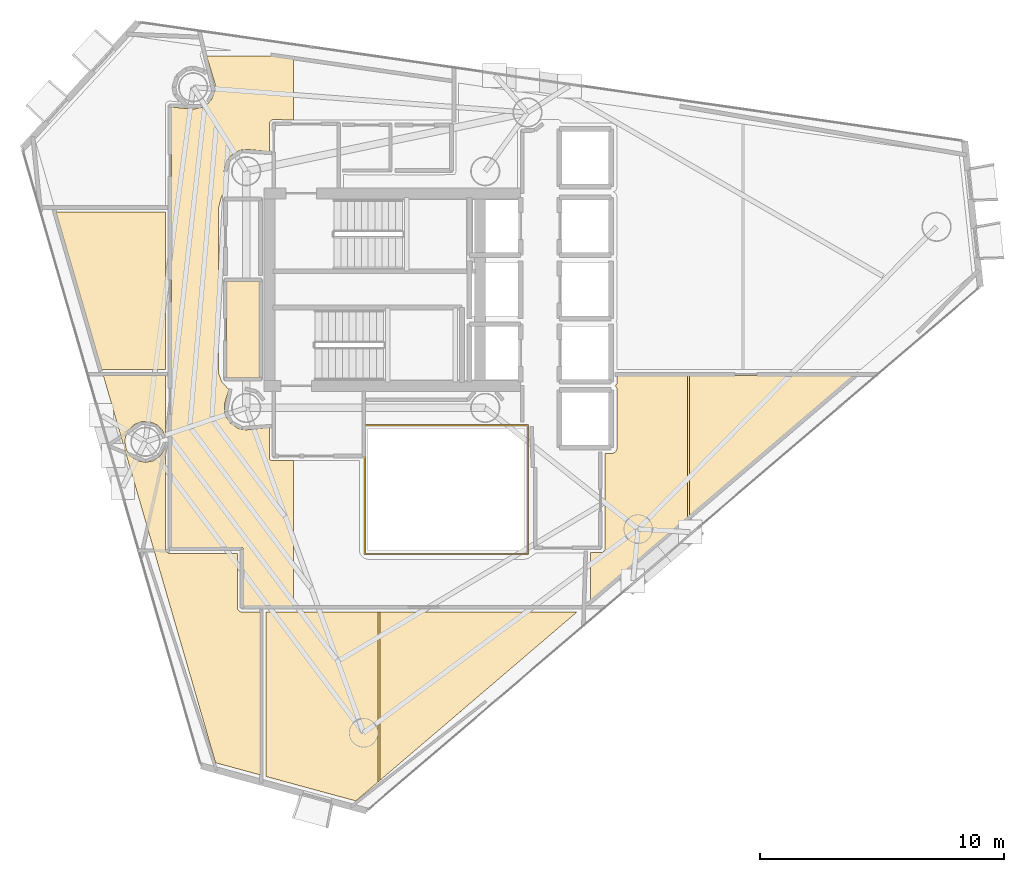
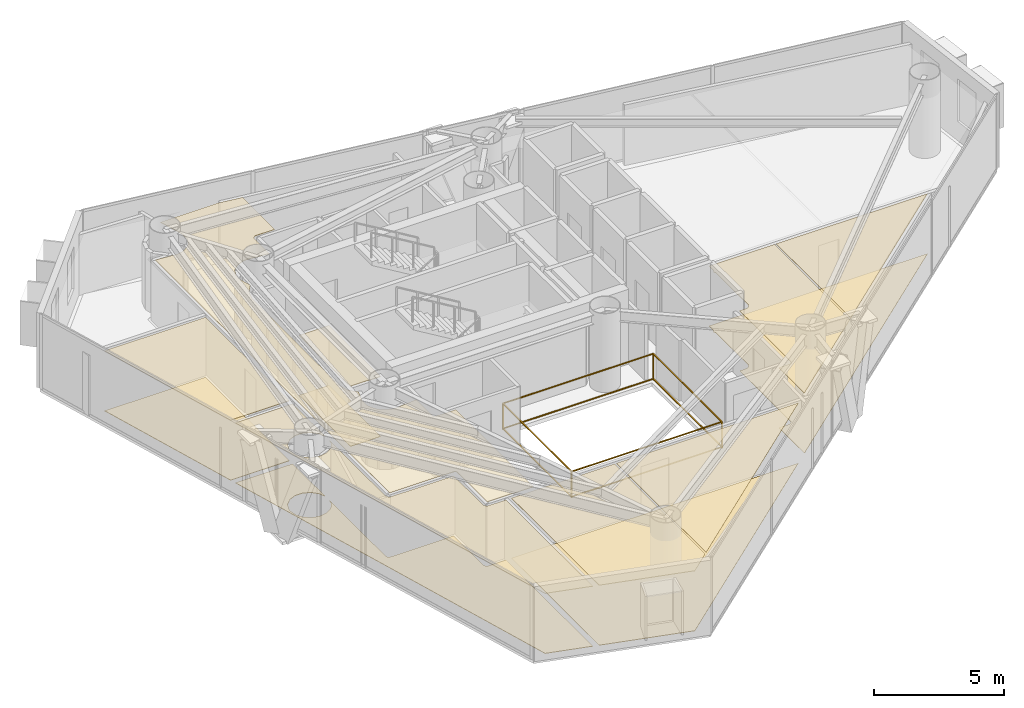
# One storey, part 21 of 23: 13 coverings, 1 railing.
"""IFC4 building model written with IfcOpenShell, lengths in metres."""

from ifc_helpers import new_model, si_unit, direction, frame, origin, origin_2d, place, context, subcontext, project, spatial, polyline, rectangle, outline, extrude, material, layer, layer_set, type_object, element, save


model = new_model("IFC4")

# Units and contexts
model_context = context("Model", 3, precision=1e-05, world=origin(), true_north=direction((0.0, 1.0)))
body_context = subcontext(model_context, "Body", "Model", "MODEL_VIEW")
ifc_project = project(units=[si_unit("LENGTHUNIT", "METRE"), si_unit("AREAUNIT", "SQUARE_METRE"), si_unit("VOLUMEUNIT", "CUBIC_METRE"), si_unit("PLANEANGLEUNIT", "RADIAN"), si_unit("MASSUNIT", "GRAM", prefix="KILO")], contexts=[model_context])

# Site, building, storey
site_placement = place(None, origin())
site = spatial("IfcSite", under=ifc_project, at=site_placement, CompositionType="ELEMENT")
building_placement = place(site_placement, origin())
building = spatial("IfcBuilding", under=site, at=building_placement, Name="Qianvela Tower", CompositionType="ELEMENT")
storey_placement = place(building_placement, frame((0.0, 0.0, 215.10009765625)))
storey = spatial("IfcBuildingStorey", under=building, at=storey_placement, Name="L55", CompositionType="ELEMENT", Elevation=215.10009765625)

# Coverings
ifc_material_1 = material(Name="Perforated Mineral Acoustic Ceiling Tile")
ifc_layer_1 = layer(ifc_material_1, 0.02490234375)
ifc_layer_set_1 = layer_set([ifc_layer_1], Name="Perforated Mineral Acoustic Ceiling Tile")
covering_type_1 = type_object("IfcCoveringType", Name="COV-CEIL-ACOUSTIC-25", PredefinedType="CEILING", material=ifc_layer_set_1)
covering_1_placement = place(storey_placement, frame((0.0, 0.0, 2.81494140625)))
element("IfcCovering", 1, at=covering_1_placement, inside=storey, type_object=covering_type_1, Name="L55 Acoustic Ceiling L55 Core Tea Pantry West", PredefinedType="CEILING", context=body_context, shape_type="SweptSolid", body=[
    extrude(outline(polyline([(27.800048828125, 25.080078125), (27.800048828125, 29.0400390625), (29.139892578125, 29.0400390625), (29.139892578125, 25.080078125), (27.800048828125, 25.080078125)])), origin(), (0.0, 0.0, 1.0), 0.02490234375),
])
covering_2_placement = place(storey_placement, frame((0.0, 0.0, 2.81494140625)))
element("IfcCovering", 2, at=covering_2_placement, inside=storey, type_object=covering_type_1, Name="L55 Acoustic Ceiling Bay 1 L55 Floor Corridor", PredefinedType="CEILING", context=body_context, shape_type="SweptSolid", body=[
    extrude(outline(polyline([(27.311767578125, 36.808837890625), (27.313720703125, 36.81640625), (27.31494140625, 36.82421875), (27.315185546875, 36.83203125), (27.315185546875, 37.152099609375), (27.31494140625, 37.159912109375), (27.313720703125, 37.16748046875), (27.311767578125, 37.17529296875), (26.979736328125, 38.27001953125), (29.61669921875, 38.27001953125), (30.53955078125, 38.13720703125), (30.53955078125, 35.658447265625), (29.68798828125, 35.660888671875), (29.680419921875, 35.660400390625), (29.672607421875, 35.6591796875), (29.664794921875, 35.657470703125), (29.657470703125, 35.65478515625), (29.650390625, 35.6513671875), (29.6435546875, 35.6474609375), (29.63720703125, 35.642578125), (29.63134765625, 35.637451171875), (29.626220703125, 35.631591796875), (29.576171875, 35.57080078125), (29.571533203125, 35.564453125), (29.5673828125, 35.5576171875), (29.564208984375, 35.550537109375), (29.561279296875, 35.543212890625), (29.5595703125, 35.53564453125), (29.558349609375, 35.52783203125), (29.55810546875, 35.52001953125), (29.55810546875, 34.35595703125), (28.60791015625, 34.44970703125), (28.60009765625, 34.449951171875), (28.59228515625, 34.44970703125), (28.43212890625, 34.433837890625), (28.42431640625, 34.4326171875), (28.416748046875, 34.430908203125), (28.409423828125, 34.42822265625), (28.11376953125, 34.3056640625), (28.106689453125, 34.302490234375), (28.10009765625, 34.29833984375), (28.09375, 34.293701171875), (28.087890625, 34.288330078125), (27.861572265625, 34.06201171875), (27.8564453125, 34.056396484375), (27.851806640625, 34.050048828125), (27.84765625, 34.043212890625), (27.84423828125, 34.0361328125), (27.7216796875, 33.740478515625), (27.71923828125, 33.733154296875), (27.71728515625, 33.7255859375), (27.716064453125, 33.7177734375), (27.700439453125, 33.557861328125), (27.699951171875, 33.550048828125), (27.700439453125, 33.542236328125), (27.716064453125, 33.382080078125), (27.71728515625, 33.37451171875), (27.71923828125, 33.36669921875), (27.865478515625, 32.884521484375), (27.60107421875, 32.52685546875), (27.5966796875, 32.5205078125), (27.593017578125, 32.513427734375), (27.590087890625, 32.50634765625), (27.587890625, 32.4990234375), (27.472412109375, 32.0458984375), (27.47119140625, 32.039306640625), (27.47021484375, 32.03271484375), (27.469970703125, 32.026123046875), (27.469970703125, 25.291259765625), (27.47021484375, 25.2841796875), (27.47119140625, 25.27734375), (27.47265625, 25.2705078125), (27.474853515625, 25.263916015625), (27.59326171875, 24.938232421875), (27.59619140625, 24.93115234375), (27.599853515625, 24.92431640625), (27.604248046875, 24.91796875), (27.609130859375, 24.911865234375), (27.89111328125, 24.599853515625), (27.71923828125, 24.033203125), (27.71728515625, 24.025634765625), (27.716064453125, 24.017822265625), (27.7158203125, 24.010009765625), (27.7158203125, 23.68994140625), (27.716064453125, 23.68212890625), (27.71728515625, 23.67431640625), (27.71923828125, 23.666748046875), (27.765869140625, 23.512939453125), (27.7685546875, 23.505615234375), (27.77197265625, 23.49853515625), (27.77587890625, 23.49169921875), (27.95361328125, 23.2255859375), (27.958251953125, 23.219482421875), (27.963623046875, 23.213623046875), (27.969482421875, 23.208251953125), (27.9755859375, 23.20361328125), (28.24169921875, 23.02587890625), (28.24853515625, 23.02197265625), (28.255615234375, 23.0185546875), (28.262939453125, 23.015869140625), (28.416748046875, 22.96923828125), (28.42431640625, 22.96728515625), (28.43212890625, 22.966064453125), (28.59228515625, 22.950439453125), (28.60009765625, 22.949951171875), (28.60791015625, 22.950439453125), (29.55810546875, 23.0439453125), (29.55810546875, 21.780029296875), (29.558349609375, 21.772216796875), (29.5595703125, 21.764404296875), (29.561279296875, 21.7568359375), (29.564208984375, 21.74951171875), (29.5673828125, 21.7421875), (29.571533203125, 21.735595703125), (29.576171875, 21.729248046875), (29.581298828125, 21.723388671875), (29.587158203125, 21.71826171875), (29.593505859375, 21.71337890625), (29.600341796875, 21.70947265625), (29.607421875, 21.7060546875), (29.61474609375, 21.703369140625), (29.622314453125, 21.701416015625), (29.630126953125, 21.700439453125), (29.637939453125, 21.699951171875), (30.53955078125, 21.699951171875), (30.53955078125, 15.72998046875), (28.47998046875, 15.72998046875), (28.47998046875, 18.050048828125), (28.4794921875, 18.057861328125), (28.478515625, 18.065673828125), (28.4765625, 18.0732421875), (28.473876953125, 18.08056640625), (28.470703125, 18.087646484375), (28.466552734375, 18.094482421875), (28.4619140625, 18.100830078125), (28.45654296875, 18.106689453125), (28.45068359375, 18.11181640625), (28.4443359375, 18.116455078125), (28.437744140625, 18.12060546875), (28.4306640625, 18.123779296875), (28.423095703125, 18.126708984375), (28.41552734375, 18.12841796875), (28.40771484375, 18.129638671875), (28.39990234375, 18.1298828125), (25.530029296875, 18.1298828125), (25.530029296875, 36.180419921875), (26.423095703125, 36.09228515625), (26.430908203125, 36.092041015625), (26.438720703125, 36.09228515625), (26.446533203125, 36.093505859375), (26.760498046875, 36.156005859375), (26.76806640625, 36.157958984375), (26.775390625, 36.160400390625), (26.782470703125, 36.163818359375), (26.789306640625, 36.16796875), (27.055419921875, 36.345703125), (27.0615234375, 36.350341796875), (27.0673828125, 36.355712890625), (27.07275390625, 36.361328125), (27.174560546875, 36.485595703125), (27.17919921875, 36.491943359375), (27.183349609375, 36.498779296875), (27.186767578125, 36.505859375), (27.30908203125, 36.801513671875), (27.311767578125, 36.808837890625)])), origin(), (0.0, 0.0, 1.0), 0.02490234375),
])
covering_3_placement = place(storey_placement, frame((0.0, 0.0, 2.81494140625)))
element("IfcCovering", 3, at=covering_3_placement, inside=storey, type_object=covering_type_1, Name="L55 Acoustic Ceiling Project Huddle Conference L55-01", PredefinedType="CEILING", context=body_context, shape_type="SweptSolid", body=[
    extrude(outline(polyline([(25.2919921875, 22.706298828125), (25.264892578125, 22.7060546875), (25.177490234375, 22.913330078125), (25.17431640625, 22.92041015625), (25.17041015625, 22.927001953125), (25.165771484375, 22.93310546875), (25.160400390625, 22.938720703125), (24.95068359375, 23.1484375), (24.945068359375, 23.15380859375), (24.938720703125, 23.158447265625), (24.931884765625, 23.16259765625), (24.9248046875, 23.165771484375), (24.65087890625, 23.279296875), (24.6435546875, 23.281982421875), (24.635986328125, 23.283935546875), (24.628173828125, 23.284912109375), (24.620361328125, 23.285400390625), (24.32373046875, 23.285400390625), (24.31591796875, 23.284912109375), (24.30810546875, 23.283935546875), (24.300537109375, 23.281982421875), (24.293212890625, 23.279296875), (24.019287109375, 23.165771484375), (24.01220703125, 23.16259765625), (24.00537109375, 23.158447265625), (23.9990234375, 23.15380859375), (23.9931640625, 23.1484375), (23.783447265625, 22.938720703125), (23.7783203125, 22.93310546875), (23.773681640625, 22.9267578125), (23.76953125, 22.919921875), (23.76611328125, 22.912841796875), (23.652587890625, 22.638916015625), (23.64990234375, 22.631591796875), (23.648193359375, 22.623779296875), (23.64697265625, 22.6162109375), (23.63232421875, 22.4677734375), (23.632080078125, 22.4599609375), (23.63232421875, 22.4521484375), (23.633544921875, 22.4443359375), (23.69140625, 22.153564453125), (23.693359375, 22.14599609375), (23.69580078125, 22.138427734375), (23.69921875, 22.13134765625), (23.703369140625, 22.124755859375), (23.8681640625, 21.878173828125), (23.872802734375, 21.871826171875), (23.8779296875, 21.865966796875), (23.8837890625, 21.86083984375), (23.89013671875, 21.856201171875), (24.13671875, 21.69140625), (24.143310546875, 21.687255859375), (24.150390625, 21.683837890625), (24.157958984375, 21.681396484375), (24.16552734375, 21.679443359375), (24.456298828125, 21.62158203125), (24.464111328125, 21.620361328125), (24.471923828125, 21.6201171875), (24.479736328125, 21.620361328125), (24.487548828125, 21.62158203125), (24.7783203125, 21.679443359375), (24.7861328125, 21.681396484375), (24.79345703125, 21.683837890625), (24.800537109375, 21.687255859375), (24.807373046875, 21.69140625), (25.0537109375, 21.856201171875), (25.060302734375, 21.86083984375), (25.06591796875, 21.865966796875), (25.0712890625, 21.871826171875), (25.075927734375, 21.878173828125), (25.24072265625, 22.124755859375), (25.24462890625, 22.13134765625), (25.248046875, 22.138427734375), (25.25048828125, 22.145751953125), (25.25244140625, 22.1533203125), (25.29248046875, 22.348876953125), (25.296142578125, 18.019287109375), (25.29638671875, 18.011474609375), (25.297607421875, 18.003662109375), (25.299560546875, 17.99609375), (25.30224609375, 17.98876953125), (25.3056640625, 17.981689453125), (25.3095703125, 17.974853515625), (25.314208984375, 17.968505859375), (25.319580078125, 17.962890625), (25.3251953125, 17.95751953125), (25.33154296875, 17.952880859375), (25.405517578125, 17.903564453125), (25.412353515625, 17.8994140625), (25.41943359375, 17.89599609375), (25.4267578125, 17.893310546875), (25.434326171875, 17.8916015625), (25.442138671875, 17.890380859375), (25.449951171875, 17.889892578125), (28.240234375, 17.889892578125), (28.24609375, 15.619140625), (28.24658203125, 15.61083984375), (28.247802734375, 15.602783203125), (28.25, 15.5947265625), (28.2529296875, 15.587158203125), (28.256591796875, 15.57958984375), (28.260986328125, 15.57275390625), (28.266357421875, 15.56640625), (28.272216796875, 15.560302734375), (28.2783203125, 15.55517578125), (28.344482421875, 15.506103515625), (28.3515625, 15.50146484375), (28.359130859375, 15.49755859375), (28.366943359375, 15.494384765625), (28.375244140625, 15.4921875), (28.383544921875, 15.49072265625), (28.39208984375, 15.490478515625), (29.177978515625, 15.489990234375), (29.177978515625, 8.806640625), (27.3447265625, 9.3056640625), (22.745361328125, 25.177978515625), (25.2900390625, 25.177978515625), (25.2919921875, 22.706298828125)])), origin(), (0.0, 0.0, 1.0), 0.02490234375),
])
covering_4_placement = place(storey_placement, frame((0.0, 0.0, 2.81494140625)))
element("IfcCovering", 4, at=covering_4_placement, inside=storey, type_object=covering_type_1, Name="L55 Acoustic Ceiling Bay 1 Debate Lecture Classroom L55-02", PredefinedType="CEILING", context=body_context, shape_type="SweptSolid", body=[
    extrude(outline(polyline([(33.09619140625, 7.740234375), (29.422119140625, 8.740234375), (29.422119140625, 15.489990234375), (34.001953125, 15.489990234375), (34.001953125, 8.514404296875), (33.09619140625, 7.740234375)])), origin(), (0.0, 0.0, 1.0), 0.02490234375),
])
covering_5_placement = place(storey_placement, frame((0.0, 0.0, 2.81494140625)))
element("IfcCovering", 5, at=covering_5_placement, inside=storey, type_object=covering_type_1, Name="L55 Acoustic Ceiling Bay 2 Debate Lecture Classroom L55-02", PredefinedType="CEILING", context=body_context, shape_type="SweptSolid", body=[
    extrude(outline(polyline([(34.08203125, 8.582763671875), (34.08203125, 15.489990234375), (42.165771484375, 15.489990234375), (34.08203125, 8.582763671875)])), origin(), (0.0, 0.0, 1.0), 0.02490234375),
])
covering_6_placement = place(storey_placement, frame((0.0, 0.0, 2.81494140625)))
element("IfcCovering", 6, at=covering_6_placement, inside=storey, type_object=covering_type_1, Name="L55 Acoustic Ceiling Bay 1 Floor Dining Kitchen L55-03", PredefinedType="CEILING", context=body_context, shape_type="SweptSolid", body=[
    extrude(outline(polyline([(43.74072265625, 24.750244140625), (43.74560546875, 24.756591796875), (43.74951171875, 24.76318359375), (43.787841796875, 24.8349609375), (43.791259765625, 24.842041015625), (43.793701171875, 24.849365234375), (43.795654296875, 24.856689453125), (43.796875, 24.864501953125), (43.79736328125, 24.8720703125), (43.79931640625, 25.177978515625), (46.69091796875, 25.177978515625), (46.69091796875, 19.356689453125), (42.709716796875, 15.954833984375), (42.70751953125, 17.920166015625), (43.157958984375, 17.92041015625), (43.166259765625, 17.9208984375), (43.174560546875, 17.922119140625), (43.1826171875, 17.92431640625), (43.1904296875, 17.927490234375), (43.197998046875, 17.93115234375), (43.205078125, 17.935791015625), (43.211669921875, 17.941162109375), (43.2822265625, 18.005126953125), (43.2880859375, 18.010986328125), (43.293212890625, 18.017578125), (43.2978515625, 18.0244140625), (43.301513671875, 18.031982421875), (43.3046875, 18.039794921875), (43.306640625, 18.0478515625), (43.30810546875, 18.055908203125), (43.30859375, 18.064453125), (43.309326171875, 21.980712890625), (43.60791015625, 21.982666015625), (43.615478515625, 21.983154296875), (43.623291015625, 21.984375), (43.630859375, 21.986083984375), (43.637939453125, 21.98876953125), (43.64501953125, 21.9921875), (43.716796875, 22.030517578125), (43.723388671875, 22.034423828125), (43.729736328125, 22.039306640625), (43.735595703125, 22.04443359375), (43.74072265625, 22.05029296875), (43.74560546875, 22.056640625), (43.74951171875, 22.063232421875), (43.787841796875, 22.135009765625), (43.791259765625, 22.14208984375), (43.7939453125, 22.1494140625), (43.7958984375, 22.156982421875), (43.796875, 22.164794921875), (43.79736328125, 22.172607421875), (43.79736328125, 24.627197265625), (43.797119140625, 24.634521484375), (43.7958984375, 24.6416015625), (43.79443359375, 24.648681640625), (43.792236328125, 24.655517578125), (43.789306640625, 24.662109375), (43.785888671875, 24.66845703125), (43.738525390625, 24.74755859375), (43.74072265625, 24.750244140625)])), origin(), (0.0, 0.0, 1.0), 0.02490234375),
])
covering_7_placement = place(storey_placement, frame((0.0, 0.0, 2.81494140625)))
element("IfcCovering", 7, at=covering_7_placement, inside=storey, type_object=covering_type_1, Name="L55 Acoustic Ceiling Bay 2 Floor Dining Kitchen L55-03", PredefinedType="CEILING", context=body_context, shape_type="SweptSolid", body=[
    extrude(outline(polyline([(53.503662109375, 25.177978515625), (46.77099609375, 19.425048828125), (46.77099609375, 25.177978515625), (53.503662109375, 25.177978515625)])), origin(), (0.0, 0.0, 1.0), 0.02490234375),
])
covering_8_placement = place(storey_placement, frame((0.0, 0.0, 2.81494140625)))
element("IfcCovering", 8, at=covering_8_placement, inside=storey, type_object=covering_type_1, Name="L55 Acoustic Ceiling Shared Communal Kitchen L55-05", PredefinedType="CEILING", context=body_context, shape_type="SweptSolid", body=[
    extrude(outline(polyline([(25.2900390625, 31.8779296875), (25.2900390625, 25.422119140625), (22.6748046875, 25.422119140625), (20.803955078125, 31.8779296875), (25.2900390625, 31.8779296875)])), origin(), (0.0, 0.0, 1.0), 0.02490234375),
])
ifc_material_2 = material(Name="Engineered Acoustic Oak Timber Flooring", Category="wood")
ifc_layer_2 = layer(ifc_material_2, 0.02001953125)
ifc_layer_set_2 = layer_set([ifc_layer_2], Name="Engineered Acoustic Oak Timber Flooring")
covering_type_2 = type_object("IfcCoveringType", Name="COV-FLOOR-OAK-20", PredefinedType="FLOORING", material=ifc_layer_set_2)
covering_9_placement = place(storey_placement, origin())
element("IfcCovering", 9, at=covering_9_placement, inside=storey, type_object=covering_type_2, Name="L55 Finish Flooring L55 Core Tea Pantry West", PredefinedType="FLOORING", context=body_context, shape_type="SweptSolid", body=[
    extrude(outline(polyline([(27.800048828125, 25.080078125), (27.800048828125, 29.0400390625), (29.139892578125, 29.0400390625), (29.139892578125, 25.080078125), (27.800048828125, 25.080078125)])), origin(), (0.0, 0.0, 1.0), 0.02001953125),
])
covering_10_placement = place(storey_placement, origin())
element("IfcCovering", 10, at=covering_10_placement, inside=storey, type_object=covering_type_2, Name="L55 Finish Flooring Project Huddle Conference L55-01", PredefinedType="FLOORING", context=body_context, shape_type="SweptSolid", body=[
    extrude(outline(polyline([(25.2919921875, 22.706298828125), (25.264892578125, 22.7060546875), (25.177490234375, 22.913330078125), (25.17431640625, 22.92041015625), (25.17041015625, 22.927001953125), (25.165771484375, 22.93310546875), (25.160400390625, 22.938720703125), (24.95068359375, 23.1484375), (24.945068359375, 23.15380859375), (24.938720703125, 23.158447265625), (24.931884765625, 23.16259765625), (24.9248046875, 23.165771484375), (24.65087890625, 23.279296875), (24.6435546875, 23.281982421875), (24.635986328125, 23.283935546875), (24.628173828125, 23.284912109375), (24.620361328125, 23.285400390625), (24.32373046875, 23.285400390625), (24.31591796875, 23.284912109375), (24.30810546875, 23.283935546875), (24.300537109375, 23.281982421875), (24.293212890625, 23.279296875), (24.019287109375, 23.165771484375), (24.01220703125, 23.16259765625), (24.00537109375, 23.158447265625), (23.9990234375, 23.15380859375), (23.9931640625, 23.1484375), (23.783447265625, 22.938720703125), (23.7783203125, 22.93310546875), (23.773681640625, 22.9267578125), (23.76953125, 22.919921875), (23.76611328125, 22.912841796875), (23.652587890625, 22.638916015625), (23.64990234375, 22.631591796875), (23.648193359375, 22.623779296875), (23.64697265625, 22.6162109375), (23.63232421875, 22.4677734375), (23.632080078125, 22.4599609375), (23.63232421875, 22.4521484375), (23.633544921875, 22.4443359375), (23.69140625, 22.153564453125), (23.693359375, 22.14599609375), (23.69580078125, 22.138427734375), (23.69921875, 22.13134765625), (23.703369140625, 22.124755859375), (23.8681640625, 21.878173828125), (23.872802734375, 21.871826171875), (23.8779296875, 21.865966796875), (23.8837890625, 21.86083984375), (23.89013671875, 21.856201171875), (24.13671875, 21.69140625), (24.143310546875, 21.687255859375), (24.150390625, 21.683837890625), (24.157958984375, 21.681396484375), (24.16552734375, 21.679443359375), (24.456298828125, 21.62158203125), (24.464111328125, 21.620361328125), (24.471923828125, 21.6201171875), (24.479736328125, 21.620361328125), (24.487548828125, 21.62158203125), (24.7783203125, 21.679443359375), (24.7861328125, 21.681396484375), (24.79345703125, 21.683837890625), (24.800537109375, 21.687255859375), (24.807373046875, 21.69140625), (25.0537109375, 21.856201171875), (25.060302734375, 21.86083984375), (25.06591796875, 21.865966796875), (25.0712890625, 21.871826171875), (25.075927734375, 21.878173828125), (25.24072265625, 22.124755859375), (25.24462890625, 22.13134765625), (25.248046875, 22.138427734375), (25.25048828125, 22.145751953125), (25.25244140625, 22.1533203125), (25.29248046875, 22.348876953125), (25.296142578125, 18.019287109375), (25.29638671875, 18.011474609375), (25.297607421875, 18.003662109375), (25.299560546875, 17.99609375), (25.30224609375, 17.98876953125), (25.3056640625, 17.981689453125), (25.3095703125, 17.974853515625), (25.314208984375, 17.968505859375), (25.319580078125, 17.962890625), (25.3251953125, 17.95751953125), (25.33154296875, 17.952880859375), (25.405517578125, 17.903564453125), (25.412353515625, 17.8994140625), (25.41943359375, 17.89599609375), (25.4267578125, 17.893310546875), (25.434326171875, 17.8916015625), (25.442138671875, 17.890380859375), (25.449951171875, 17.889892578125), (28.240234375, 17.889892578125), (28.24609375, 15.619140625), (28.24658203125, 15.61083984375), (28.247802734375, 15.602783203125), (28.25, 15.5947265625), (28.2529296875, 15.587158203125), (28.256591796875, 15.57958984375), (28.260986328125, 15.57275390625), (28.266357421875, 15.56640625), (28.272216796875, 15.560302734375), (28.2783203125, 15.55517578125), (28.344482421875, 15.506103515625), (28.3515625, 15.50146484375), (28.359130859375, 15.49755859375), (28.366943359375, 15.494384765625), (28.375244140625, 15.4921875), (28.383544921875, 15.49072265625), (28.39208984375, 15.490478515625), (29.177978515625, 15.489990234375), (29.177978515625, 8.806640625), (27.3447265625, 9.3056640625), (22.745361328125, 25.177978515625), (25.2900390625, 25.177978515625), (25.2919921875, 22.706298828125)])), origin(), (0.0, 0.0, 1.0), 0.02001953125),
])
covering_11_placement = place(storey_placement, origin())
element("IfcCovering", 11, at=covering_11_placement, inside=storey, type_object=covering_type_2, Name="L55 Finish Flooring Debate Lecture Classroom L55-02", PredefinedType="FLOORING", context=body_context, shape_type="SweptSolid", body=[
    extrude(outline(polyline([(42.165771484375, 15.489990234375), (33.09619140625, 7.740234375), (29.422119140625, 8.740234375), (29.422119140625, 15.489990234375), (42.165771484375, 15.489990234375)])), origin(), (0.0, 0.0, 1.0), 0.02001953125),
])
covering_12_placement = place(storey_placement, origin())
element("IfcCovering", 12, at=covering_12_placement, inside=storey, type_object=covering_type_2, Name="L55 Finish Flooring Floor Dining Kitchen L55-03", PredefinedType="FLOORING", context=body_context, shape_type="SweptSolid", body=[
    extrude(outline(polyline([(43.738525390625, 24.74755859375), (43.74072265625, 24.750244140625), (43.74560546875, 24.756591796875), (43.74951171875, 24.76318359375), (43.787841796875, 24.8349609375), (43.791259765625, 24.842041015625), (43.793701171875, 24.849365234375), (43.795654296875, 24.856689453125), (43.796875, 24.864501953125), (43.79736328125, 24.8720703125), (43.79931640625, 25.177978515625), (53.503662109375, 25.177978515625), (42.709716796875, 15.954833984375), (42.70751953125, 17.920166015625), (43.157958984375, 17.92041015625), (43.166259765625, 17.9208984375), (43.174560546875, 17.922119140625), (43.1826171875, 17.92431640625), (43.1904296875, 17.927490234375), (43.197998046875, 17.93115234375), (43.205078125, 17.935791015625), (43.211669921875, 17.941162109375), (43.2822265625, 18.005126953125), (43.2880859375, 18.010986328125), (43.293212890625, 18.017578125), (43.2978515625, 18.0244140625), (43.301513671875, 18.031982421875), (43.3046875, 18.039794921875), (43.306640625, 18.0478515625), (43.30810546875, 18.055908203125), (43.30859375, 18.064453125), (43.309326171875, 21.980712890625), (43.60791015625, 21.982666015625), (43.615478515625, 21.983154296875), (43.623291015625, 21.984375), (43.630859375, 21.986083984375), (43.637939453125, 21.98876953125), (43.64501953125, 21.9921875), (43.716796875, 22.030517578125), (43.723388671875, 22.034423828125), (43.729736328125, 22.039306640625), (43.735595703125, 22.04443359375), (43.74072265625, 22.05029296875), (43.74560546875, 22.056640625), (43.74951171875, 22.063232421875), (43.787841796875, 22.135009765625), (43.791259765625, 22.14208984375), (43.7939453125, 22.1494140625), (43.7958984375, 22.156982421875), (43.796875, 22.164794921875), (43.79736328125, 22.172607421875), (43.79736328125, 24.627197265625), (43.797119140625, 24.634521484375), (43.7958984375, 24.6416015625), (43.79443359375, 24.648681640625), (43.792236328125, 24.655517578125), (43.789306640625, 24.662109375), (43.785888671875, 24.66845703125), (43.738525390625, 24.74755859375)])), origin(), (0.0, 0.0, 1.0), 0.02001953125),
])
covering_13_placement = place(storey_placement, origin())
element("IfcCovering", 13, at=covering_13_placement, inside=storey, type_object=covering_type_2, Name="L55 Finish Flooring Shared Communal Kitchen L55-05", PredefinedType="FLOORING", context=body_context, shape_type="SweptSolid", body=[
    extrude(outline(polyline([(25.2900390625, 31.8779296875), (25.2900390625, 25.422119140625), (22.6748046875, 25.422119140625), (20.803955078125, 31.8779296875), (25.2900390625, 31.8779296875)])), origin(), (0.0, 0.0, 1.0), 0.02001953125),
])

# Railing
ifc_material_3 = material(Name="Laminated Safety Glass and Stainless Steel 316", Category="steel")
railing_type = type_object("IfcRailingType", Name="RL-ATRIUM-GUARD-1250", PredefinedType="GUARDRAIL", material=ifc_material_3)
railing_placement = place(storey_placement, frame((33.4599609375, 17.860107421875, 0.0)))
element("IfcRailing", 14, at=railing_placement, inside=storey, type_object=railing_type, Name="L55 Atrium Edge Guardrail 1", PredefinedType="GUARDRAIL", context=body_context, shape_type="SweptSolid", body=[
    extrude(rectangle(XDim=0.050048828125, YDim=0.0400390625, at=origin_2d()), frame((0.0, 0.0, 1.22998046875), z_axis=(0.0, 1.0, 0.0), x_axis=(-1.0, 0.0, 0.0)), (0.0, 0.0, 1.0), 5.27978515625),
    extrude(rectangle(XDim=0.050048828125, YDim=0.0400390625, at=origin_2d()), frame((0.0, 0.0, 0.050048828125), z_axis=(0.0, 1.0, 0.0), x_axis=(-1.0, 0.0, 0.0)), (0.0, 0.0, 1.0), 5.27978515625),
    extrude(rectangle(XDim=0.050048828125, YDim=0.0400390625, at=origin_2d()), frame((0.0, 5.27978515625, 1.22998046875), z_axis=(1.0, 0.0, 0.0), x_axis=(0.0, 1.0, 0.0)), (0.0, 0.0, 1.0), 6.679931640625),
    extrude(rectangle(XDim=0.050048828125, YDim=0.0400390625, at=origin_2d()), frame((0.0, 5.27978515625, 0.050048828125), z_axis=(1.0, 0.0, 0.0), x_axis=(0.0, 1.0, 0.0)), (0.0, 0.0, 1.0), 6.679931640625),
    extrude(rectangle(XDim=0.050048828125, YDim=0.0400390625, at=origin_2d()), frame((6.679931640625, 5.27978515625, 1.22998046875), z_axis=(0.0, -1.0, 0.0), x_axis=(1.0, 0.0, 0.0)), (0.0, 0.0, 1.0), 5.27978515625),
    extrude(rectangle(XDim=0.050048828125, YDim=0.0400390625, at=origin_2d()), frame((6.679931640625, 5.27978515625, 0.050048828125), z_axis=(0.0, -1.0, 0.0), x_axis=(1.0, 0.0, 0.0)), (0.0, 0.0, 1.0), 5.27978515625),
    extrude(rectangle(XDim=0.050048828125, YDim=0.0400390625, at=origin_2d()), frame((6.679931640625, 0.0, 1.22998046875), z_axis=(-1.0, 0.0, 0.0), x_axis=(0.0, -1.0, 0.0)), (0.0, 0.0, 1.0), 6.679931640625),
    extrude(rectangle(XDim=0.050048828125, YDim=0.0400390625, at=origin_2d()), frame((6.679931640625, 0.0, 0.050048828125), z_axis=(-1.0, 0.0, 0.0), x_axis=(0.0, -1.0, 0.0)), (0.0, 0.0, 1.0), 6.679931640625),
    extrude(rectangle(XDim=0.050048828125, YDim=0.050048828125, at=origin_2d()), origin(), (0.0, 0.0, 1.0), 1.2099609375),
    extrude(rectangle(XDim=0.050048828125, YDim=0.050048828125, at=origin_2d()), frame((0.0, 5.27978515625, 0.0)), (0.0, 0.0, 1.0), 1.2099609375),
    extrude(rectangle(XDim=0.050048828125, YDim=0.050048828125, at=origin_2d()), frame((6.679931640625, 5.27978515625, 0.0)), (0.0, 0.0, 1.0), 1.2099609375),
    extrude(rectangle(XDim=0.050048828125, YDim=0.050048828125, at=origin_2d()), frame((6.679931640625, 0.0, 0.0)), (0.0, 0.0, 1.0), 1.2099609375),
])

save(model, "model.ifc")
